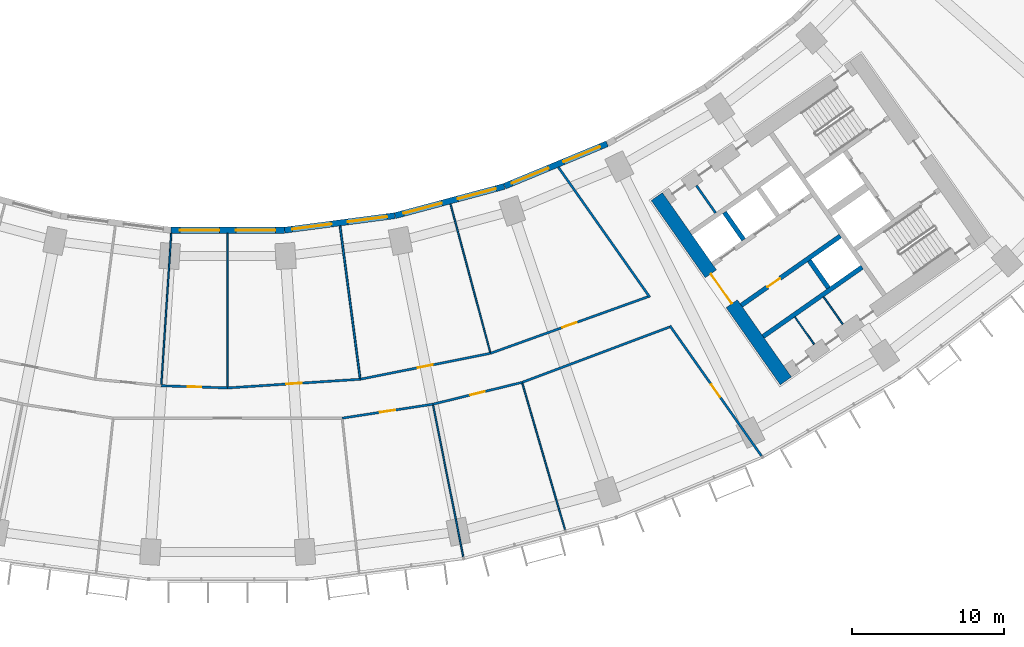
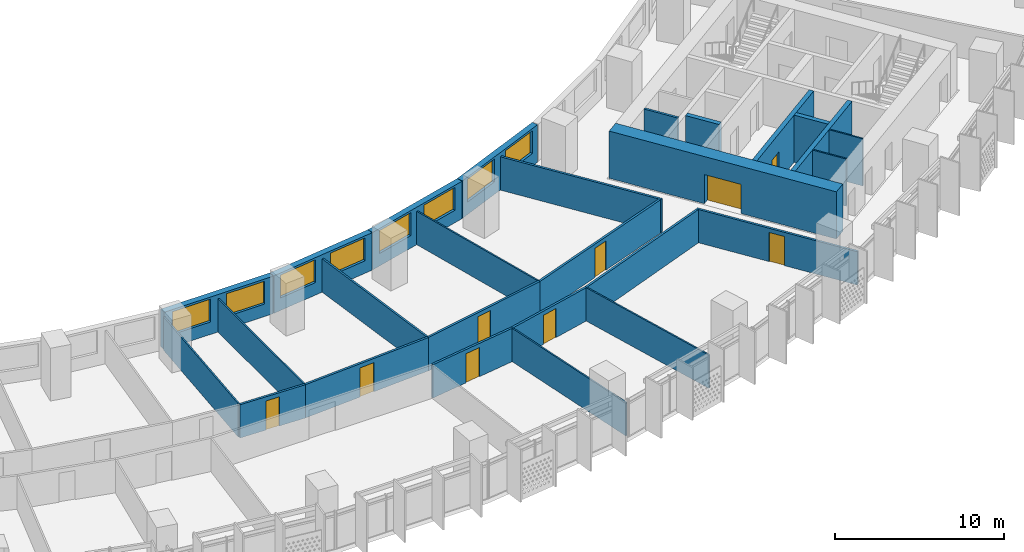
# One storey, part 6 of 31: 27 walls, 9 doors, 8 windows, 17 openings.
"""IFC4 building model written with IfcOpenShell, lengths in metres."""

from ifc_helpers import new_model, si_unit, direction, frame, frame_2d, origin, place, context, subcontext, project, spatial, rectangle, extrude, material, layer, layer_set, type_object, element, fill, save


model = new_model("IFC4")

# Units and contexts
model_context = context("Model", 3, precision=1e-05, world=origin(), true_north=direction((0.0, 1.0)))
body_context = subcontext(model_context, "Body", "Model", "MODEL_VIEW")
ifc_project = project(units=[si_unit("LENGTHUNIT", "METRE"), si_unit("AREAUNIT", "SQUARE_METRE"), si_unit("VOLUMEUNIT", "CUBIC_METRE"), si_unit("PLANEANGLEUNIT", "RADIAN"), si_unit("MASSUNIT", "GRAM", prefix="KILO")], contexts=[model_context])

# Site, building, storey
site_placement = place(None, origin())
site = spatial("IfcSite", under=ifc_project, at=site_placement, CompositionType="ELEMENT")
building_placement = place(site_placement, origin())
building = spatial("IfcBuilding", under=site, at=building_placement, Name="Qamariyya Broadcast Tower", CompositionType="ELEMENT")
storey_placement = place(building_placement, frame((0.0, 0.0, 86.10009765625)))
storey = spatial("IfcBuildingStorey", under=building, at=storey_placement, Name="L18", CompositionType="ELEMENT", Elevation=86.10009765625)

# Wall, opening, door
ifc_material_1 = material(Name="Concrete C70/85", Category="concrete")
ifc_layer_1 = layer(ifc_material_1, 0.89990234375)
ifc_layer_set_1 = layer_set([ifc_layer_1], Name="Core wall 900 mm Concrete C70/85")
wall_type_1 = type_object("IfcWallType", Name="Core wall 900 mm Concrete C70/85", PredefinedType="SHEAR", material=ifc_layer_set_1)
wall_1_placement = place(storey_placement, frame((36.716796875, -66.3369140625, 0.0), z_axis=(0.0, 0.0, 1.0), x_axis=(-0.573577477574, 0.819151315216, 0.0)))
wall_1 = element("IfcWall", 1, at=wall_1_placement, inside=storey, type_object=wall_type_1, Name="k-E-L18-WA", PredefinedType="SHEAR", context=body_context, shape_type="SweptSolid", body=[
    extrude(rectangle(XDim=14.800048828125, YDim=0.89990234375, at=frame_2d((7.39990234375, 0.0))), origin(), (0.0, 0.0, 1.0), 3.39990234375),
])
opening_1_placement = place(wall_1_placement, frame((6.199951171875, 0.0, 0.0)))
opening_1 = element("IfcOpeningElement", 2, at=opening_1_placement, cuts=wall_1, Name="Opening KD3-E1", PredefinedType="OPENING", context=body_context, shape_type="SweptSolid", body=[
    extrude(rectangle(XDim=2.39990234375, YDim=2.10009765625, at=frame_2d((1.199951171875, 1.050048828125))), frame((0.0, 0.4599609375, 0.0), z_axis=(0.0, -1.0, 0.0), x_axis=(1.0, 0.0, 0.0)), (0.0, 0.0, 1.0), 0.919921875),
])
ifc_material_2 = material(Name="Steel fire-resisting door leaf", Category="steel")
door_type_1 = type_object("IfcDoorType", Name="Lift lobby door KD3", OperationType="DOUBLE_DOOR_SINGLE_SWING", PredefinedType="DOOR", material=ifc_material_2)
door_1_placement = place(opening_1_placement, origin())
door_1 = element("IfcDoor", 3, at=door_1_placement, inside=storey, type_object=door_type_1, Name="k-E-L18-WA-D1", OperationType="DOUBLE_DOOR_SINGLE_SWING", OverallHeight=2.10009765625, OverallWidth=2.39990234375, PredefinedType="DOOR", context=body_context, shape_type="SweptSolid", body=[
    extrude(rectangle(XDim=2.39990234375, YDim=2.10009765625, at=frame_2d((1.199951171875, 1.050048828125))), frame((0.0, 0.02490234375, 0.0), z_axis=(0.0, -1.0, 0.0), x_axis=(1.0, 0.0, 0.0)), (0.0, 0.0, 1.0), 0.050048828125),
])
fill(opening_1, door_1)

ifc_material_3 = material(Name="Gypsum board partition")
ifc_layer_2 = layer(ifc_material_3, 0.14990234375)
ifc_layer_set_2 = layer_set([ifc_layer_2], Name="Corridor partition 150 EI 60")
wall_type_2 = type_object("IfcWallType", Name="Corridor partition 150 EI 60", PredefinedType="PARTITIONING", material=ifc_layer_set_2)
wall_2_placement = place(storey_placement, frame((-4.368896484375, -66.656982421875, 0.0), z_axis=(0.0, 0.0, 1.0), x_axis=(0.99946426167, -0.03272903366, 0.0)))
wall_2 = element("IfcWall", 4, at=wall_2_placement, inside=storey, type_object=wall_type_2, Name="Partition L18-020", PredefinedType="PARTITIONING", context=body_context, shape_type="SweptSolid", body=[
    extrude(rectangle(XDim=4.371337890625, YDim=0.14990234375, at=frame_2d((2.185546875, 0.0))), origin(), (0.0, 0.0, 1.0), 2.39990234375),
])
opening_2_placement = place(wall_2_placement, frame((1.735595703125, 0.0, 0.0)))
opening_2 = element("IfcOpeningElement", 5, at=opening_2_placement, cuts=wall_2, Name="Opening L18-D13", PredefinedType="OPENING", context=body_context, shape_type="SweptSolid", body=[
    extrude(rectangle(XDim=0.89990234375, YDim=2.10009765625, at=frame_2d((0.449951171875, 1.050048828125))), frame((0.0, 0.0849609375, 0.0), z_axis=(0.0, -1.0, 0.0), x_axis=(1.0, 0.0, 0.0)), (0.0, 0.0, 1.0), 0.169921875),
])
ifc_material_4 = material(Name="Timber fire door leaf", Category="wood")
door_type_2 = type_object("IfcDoorType", Name="Fire door 900 x 2100 FD60", OperationType="NOTDEFINED", PredefinedType="DOOR", material=ifc_material_4)
door_2_placement = place(opening_2_placement, origin())
door_2 = element("IfcDoor", 6, at=door_2_placement, inside=storey, type_object=door_type_2, Name="Door L18-D13", OperationType="SINGLE_SWING_RIGHT", OverallHeight=2.10009765625, OverallWidth=0.89990234375, PredefinedType="DOOR", context=body_context, shape_type="SweptSolid", body=[
    extrude(rectangle(XDim=0.89990234375, YDim=2.10009765625, at=frame_2d((0.449951171875, 1.050048828125))), frame((0.0, 0.02490234375, 0.0), z_axis=(0.0, -1.0, 0.0), x_axis=(1.0, 0.0, 0.0)), (0.0, 0.0, 1.0), 0.050048828125),
])
fill(opening_2, door_2)

wall_3_placement = place(storey_placement, frame((0.0, -66.800048828125, 0.0), z_axis=(0.0, 0.0, 1.0), x_axis=(0.997858593599, 0.065408158359, 0.0)))
wall_3 = element("IfcWall", 7, at=wall_3_placement, inside=storey, type_object=wall_type_2, Name="Partition L18-022", PredefinedType="PARTITIONING", context=body_context, shape_type="SweptSolid", body=[
    extrude(rectangle(XDim=8.738037109375, YDim=0.14990234375, at=frame_2d((4.369140625, 0.0))), origin(), (0.0, 0.0, 1.0), 2.39990234375),
])
opening_3_placement = place(wall_3_placement, frame((3.868896484375, 0.0, 0.0)))
opening_3 = element("IfcOpeningElement", 8, at=opening_3_placement, cuts=wall_3, Name="Opening L18-D14", PredefinedType="OPENING", context=body_context, shape_type="SweptSolid", body=[
    extrude(rectangle(XDim=1.0, YDim=2.10009765625, at=frame_2d((0.5, 1.050048828125))), frame((0.0, 0.0849609375, 0.0), z_axis=(0.0, -1.0, 0.0), x_axis=(1.0, 0.0, 0.0)), (0.0, 0.0, 1.0), 0.169921875),
])
door_type_3 = type_object("IfcDoorType", Name="Fire door 1000 x 2100 FD60", OperationType="NOTDEFINED", PredefinedType="DOOR", material=ifc_material_4)
door_3_placement = place(opening_3_placement, origin())
door_3 = element("IfcDoor", 9, at=door_3_placement, inside=storey, type_object=door_type_3, Name="Door L18-D14", OperationType="SINGLE_SWING_RIGHT", OverallHeight=2.10009765625, OverallWidth=1.0, PredefinedType="DOOR", context=body_context, shape_type="SweptSolid", body=[
    extrude(rectangle(XDim=1.0, YDim=2.10009765625, at=frame_2d((0.5, 1.050048828125))), frame((0.0, 0.02490234375, 0.0), z_axis=(0.0, -1.0, 0.0), x_axis=(1.0, 0.0, 0.0)), (0.0, 0.0, 1.0), 0.050048828125),
])
fill(opening_3, door_3)

wall_4_placement = place(storey_placement, frame((13.500244140625, -67.870361328125, 0.0), z_axis=(0.0, 0.0, 1.0), x_axis=(-0.98836608834, -0.152093640297, 0.0)))
wall_4 = element("IfcWall", 10, at=wall_4_placement, inside=storey, type_object=wall_type_2, Name="Partition L18-025", PredefinedType="PARTITIONING", context=body_context, shape_type="SweptSolid", body=[
    extrude(rectangle(XDim=6.038818359375, YDim=0.14990234375, at=frame_2d((3.01953125, 0.0))), origin(), (0.0, 0.0, 1.0), 2.39990234375),
])
opening_4_placement = place(wall_4_placement, frame((2.51953125, 0.0, 0.0)))
opening_4 = element("IfcOpeningElement", 11, at=opening_4_placement, cuts=wall_4, Name="Opening L18-D06", PredefinedType="OPENING", context=body_context, shape_type="SweptSolid", body=[
    extrude(rectangle(XDim=1.0, YDim=2.10009765625, at=frame_2d((0.5, 1.050048828125))), frame((0.0, 0.0849609375, 0.0), z_axis=(0.0, -1.0, 0.0), x_axis=(1.0, 0.0, 0.0)), (0.0, 0.0, 1.0), 0.169921875),
])
door_4_placement = place(opening_4_placement, origin())
door_4 = element("IfcDoor", 12, at=door_4_placement, inside=storey, type_object=door_type_3, Name="Door L18-D06", OperationType="SINGLE_SWING_RIGHT", OverallHeight=2.10009765625, OverallWidth=1.0, PredefinedType="DOOR", context=body_context, shape_type="SweptSolid", body=[
    extrude(rectangle(XDim=1.0, YDim=2.10009765625, at=frame_2d((0.5, 1.050048828125))), frame((0.0, 0.02490234375, 0.0), z_axis=(0.0, -1.0, 0.0), x_axis=(1.0, 0.0, 0.0)), (0.0, 0.0, 1.0), 0.050048828125),
])
fill(opening_4, door_4)

wall_5_placement = place(storey_placement, frame((8.71923828125, -66.228515625, 0.0), z_axis=(0.0, 0.0, 1.0), x_axis=(0.980786466832, 0.195084357342, 0.0)))
wall_5 = element("IfcWall", 13, at=wall_5_placement, inside=storey, type_object=wall_type_2, Name="Partition L18-027", PredefinedType="PARTITIONING", context=body_context, shape_type="SweptSolid", body=[
    extrude(rectangle(XDim=8.73779296875, YDim=0.14990234375, at=frame_2d((4.368896484375, 0.0))), origin(), (0.0, 0.0, 1.0), 2.39990234375),
])
opening_5_placement = place(wall_5_placement, frame((3.868896484375, 0.0, 0.0)))
opening_5 = element("IfcOpeningElement", 14, at=opening_5_placement, cuts=wall_5, Name="Opening L18-D15", PredefinedType="OPENING", context=body_context, shape_type="SweptSolid", body=[
    extrude(rectangle(XDim=1.0, YDim=2.10009765625, at=frame_2d((0.5, 1.050048828125))), frame((0.0, 0.0849609375, 0.0), z_axis=(0.0, -1.0, 0.0), x_axis=(1.0, 0.0, 0.0)), (0.0, 0.0, 1.0), 0.169921875),
])
door_5_placement = place(opening_5_placement, origin())
door_5 = element("IfcDoor", 15, at=door_5_placement, inside=storey, type_object=door_type_3, Name="Door L18-D15", OperationType="SINGLE_SWING_RIGHT", OverallHeight=2.10009765625, OverallWidth=1.0, PredefinedType="DOOR", context=body_context, shape_type="SweptSolid", body=[
    extrude(rectangle(XDim=1.0, YDim=2.10009765625, at=frame_2d((0.5, 1.050048828125))), frame((0.0, 0.02490234375, 0.0), z_axis=(0.0, -1.0, 0.0), x_axis=(1.0, 0.0, 0.0)), (0.0, 0.0, 1.0), 0.050048828125),
])
fill(opening_5, door_5)

wall_6_placement = place(storey_placement, frame((19.365966796875, -66.434814453125, 0.0), z_axis=(0.0, 0.0, 1.0), x_axis=(-0.971333900191, -0.237719276331, 0.0)))
wall_6 = element("IfcWall", 16, at=wall_6_placement, inside=storey, type_object=wall_type_2, Name="Partition L18-028", PredefinedType="PARTITIONING", context=body_context, shape_type="SweptSolid", body=[
    extrude(rectangle(XDim=6.038818359375, YDim=0.14990234375, at=frame_2d((3.01953125, 0.0))), origin(), (0.0, 0.0, 1.0), 2.39990234375),
])
opening_6_placement = place(wall_6_placement, frame((2.51953125, 0.0, 0.0)))
opening_6 = element("IfcOpeningElement", 17, at=opening_6_placement, cuts=wall_6, Name="Opening L18-D07", PredefinedType="OPENING", context=body_context, shape_type="SweptSolid", body=[
    extrude(rectangle(XDim=1.0, YDim=2.10009765625, at=frame_2d((0.5, 1.050048828125))), frame((0.0, 0.0849609375, 0.0), z_axis=(0.0, -1.0, 0.0), x_axis=(1.0, 0.0, 0.0)), (0.0, 0.0, 1.0), 0.169921875),
])
door_6_placement = place(opening_6_placement, origin())
door_6 = element("IfcDoor", 18, at=door_6_placement, inside=storey, type_object=door_type_3, Name="Door L18-D07", OperationType="SINGLE_SWING_RIGHT", OverallHeight=2.10009765625, OverallWidth=1.0, PredefinedType="DOOR", context=body_context, shape_type="SweptSolid", body=[
    extrude(rectangle(XDim=1.0, YDim=2.10009765625, at=frame_2d((0.5, 1.050048828125))), frame((0.0, 0.02490234375, 0.0), z_axis=(0.0, -1.0, 0.0), x_axis=(1.0, 0.0, 0.0)), (0.0, 0.0, 1.0), 0.050048828125),
])
fill(opening_6, door_6)

wall_7_placement = place(storey_placement, frame((17.2890625, -64.52392578125, 0.0), z_axis=(0.0, 0.0, 1.0), x_axis=(0.941106453562, 0.338110400705, 0.0)))
wall_7 = element("IfcWall", 19, at=wall_7_placement, inside=storey, type_object=wall_type_2, Name="Partition L18-031", PredefinedType="PARTITIONING", context=body_context, shape_type="SweptSolid", body=[
    extrude(rectangle(XDim=11.015869140625, YDim=0.14990234375, at=frame_2d((5.5078125, 0.0))), origin(), (0.0, 0.0, 1.0), 2.39990234375),
])
opening_7_placement = place(wall_7_placement, frame((5.008056640625, 0.0, 0.0)))
opening_7 = element("IfcOpeningElement", 20, at=opening_7_placement, cuts=wall_7, Name="Opening L18-D16", PredefinedType="OPENING", context=body_context, shape_type="SweptSolid", body=[
    extrude(rectangle(XDim=1.0, YDim=2.10009765625, at=frame_2d((0.5, 1.050048828125))), frame((0.0, 0.0849609375, 0.0), z_axis=(0.0, -1.0, 0.0), x_axis=(1.0, 0.0, 0.0)), (0.0, 0.0, 1.0), 0.169921875),
])
door_7_placement = place(opening_7_placement, origin())
door_7 = element("IfcDoor", 21, at=door_7_placement, inside=storey, type_object=door_type_3, Name="Door L18-D16", OperationType="SINGLE_SWING_RIGHT", OverallHeight=2.10009765625, OverallWidth=1.0, PredefinedType="DOOR", context=body_context, shape_type="SweptSolid", body=[
    extrude(rectangle(XDim=1.0, YDim=2.10009765625, at=frame_2d((0.5, 1.050048828125))), frame((0.0, 0.02490234375, 0.0), z_axis=(0.0, -1.0, 0.0), x_axis=(1.0, 0.0, 0.0)), (0.0, 0.0, 1.0), 0.050048828125),
])
fill(opening_7, door_7)

# Walls
wall_8_placement = place(storey_placement, frame((19.365966796875, -66.434814453125, 0.0), z_axis=(0.0, 0.0, 1.0), x_axis=(0.936222555766, 0.351407635197, 0.0)))
element("IfcWall", 22, at=wall_8_placement, inside=storey, type_object=wall_type_2, Name="Partition L18-032", PredefinedType="PARTITIONING", context=body_context, shape_type="SweptSolid", body=[
    extrude(rectangle(XDim=10.355224609375, YDim=0.14990234375, at=frame_2d((5.177734375, 0.0))), origin(), (0.0, 0.0, 1.0), 2.39990234375),
])
wall_9_placement = place(storey_placement, frame((21.748291015625, -52.2763671875, 0.0), z_axis=(0.0, 0.0, 1.0), x_axis=(0.575419434668, -0.817858468322, 0.0)))
element("IfcWall", 23, at=wall_9_placement, inside=storey, type_object=wall_type_2, Name="Partition L18-033", PredefinedType="PARTITIONING", context=body_context, shape_type="SweptSolid", body=[
    extrude(rectangle(XDim=10.46484375, YDim=0.14990234375, at=frame_2d((5.232421875, 0.0))), origin(), (0.0, 0.0, 1.0), 2.39990234375),
])

# Wall, opening, door
wall_10_placement = place(storey_placement, frame((35.11328125, -71.2724609375, 0.0), z_axis=(0.0, 0.0, 1.0), x_axis=(-0.575411972256, 0.817863718589, 0.0)))
wall_10 = element("IfcWall", 24, at=wall_10_placement, inside=storey, type_object=wall_type_2, Name="Partition L18-035", PredefinedType="PARTITIONING", context=body_context, shape_type="SweptSolid", body=[
    extrude(rectangle(XDim=10.471435546875, YDim=0.14990234375, at=frame_2d((5.23583984375, 0.0))), origin(), (0.0, 0.0, 1.0), 2.39990234375),
])
opening_8_placement = place(wall_10_placement, frame((4.735595703125, 0.0, 0.0)))
opening_8 = element("IfcOpeningElement", 25, at=opening_8_placement, cuts=wall_10, Name="Opening L18-D08", PredefinedType="OPENING", context=body_context, shape_type="SweptSolid", body=[
    extrude(rectangle(XDim=1.0, YDim=2.10009765625, at=frame_2d((0.5, 1.050048828125))), frame((0.0, 0.0849609375, 0.0), z_axis=(0.0, -1.0, 0.0), x_axis=(1.0, 0.0, 0.0)), (0.0, 0.0, 1.0), 0.169921875),
])
door_8_placement = place(opening_8_placement, origin())
door_8 = element("IfcDoor", 26, at=door_8_placement, inside=storey, type_object=door_type_3, Name="Door L18-D08", OperationType="SINGLE_SWING_RIGHT", OverallHeight=2.10009765625, OverallWidth=1.0, PredefinedType="DOOR", context=body_context, shape_type="SweptSolid", body=[
    extrude(rectangle(XDim=1.0, YDim=2.10009765625, at=frame_2d((0.5, 1.050048828125))), frame((0.0, 0.02490234375, 0.0), z_axis=(0.0, -1.0, 0.0), x_axis=(1.0, 0.0, 0.0)), (0.0, 0.0, 1.0), 0.050048828125),
])
fill(opening_8, door_8)

# Walls
ifc_material_5 = material(Name="Gypsum board partition on steel studs", Category="steel")
ifc_layer_3 = layer(ifc_material_5, 0.14990234375)
ifc_layer_set_3 = layer_set([ifc_layer_3], Name="Gypsum board partition 150 mm")
wall_type_3 = type_object("IfcWallType", Name="Gypsum board partition 150 mm", PredefinedType="PARTITIONING", material=ifc_layer_set_3)
wall_11_placement = place(storey_placement, frame((32.0947265625, -55.290283203125, 0.0), z_axis=(0.0, 0.0, 1.0), x_axis=(-0.573559170999, 0.819164133348, 0.0)))
element("IfcWall", 27, at=wall_11_placement, inside=storey, type_object=wall_type_3, Name="k-E-L18-NP210", PredefinedType="PARTITIONING", context=body_context, shape_type="SweptSolid", body=[
    extrude(rectangle(XDim=2.19970703125, YDim=0.14990234375, at=frame_2d((1.099853515625, 0.0))), origin(), (0.0, 0.0, 1.0), 3.39990234375),
])
ifc_material_6 = material(Name="Concrete C60/75", Category="concrete")
ifc_layer_4 = layer(ifc_material_6, 0.300048828125)
ifc_layer_set_4 = layer_set([ifc_layer_4], Name="Lift shaft wall 300 mm Concrete C60/75")
wall_type_4 = type_object("IfcWallType", Name="Lift shaft wall 300 mm Concrete C60/75", PredefinedType="SOLIDWALL", material=ifc_layer_set_4)
wall_12_placement = place(storey_placement, frame((33.9384765625, -57.051513671875, 0.0), z_axis=(0.0, 0.0, 1.0), x_axis=(-0.573581496053, 0.819148501424, 0.0)))
element("IfcWall", 28, at=wall_12_placement, inside=storey, type_object=wall_type_4, Name="k-E-L18-ND0", PredefinedType="SOLIDWALL", context=body_context, shape_type="SweptSolid", body=[
    extrude(rectangle(XDim=2.2001953125, YDim=0.300048828125, at=frame_2d((1.10009765625, 0.0))), origin(), (0.0, 0.0, 1.0), 3.39990234375),
])

# Wall, opening, door
wall_13_placement = place(storey_placement, frame((33.787353515625, -61.368896484375, 0.0), z_axis=(0.0, 0.0, 1.0), x_axis=(0.819152564888, 0.573575692858, 0.0)))
wall_13 = element("IfcWall", 29, at=wall_13_placement, inside=storey, type_object=wall_type_4, Name="k-E-L18-SF0", PredefinedType="SOLIDWALL", context=body_context, shape_type="SweptSolid", body=[
    extrude(rectangle(XDim=7.9501953125, YDim=0.300048828125, at=frame_2d((3.97509765625, 0.0))), origin(), (0.0, 0.0, 1.0), 3.39990234375),
])
opening_9_placement = place(wall_13_placement, frame((2.10009765625, 0.0, 0.0)))
opening_9 = element("IfcOpeningElement", 30, at=opening_9_placement, cuts=wall_13, Name="Opening KD6-E1", PredefinedType="OPENING", context=body_context, shape_type="SweptSolid", body=[
    extrude(rectangle(XDim=1.0, YDim=2.10009765625, at=frame_2d((0.5, 1.050048828125))), frame((0.0, 0.159912109375, 0.0), z_axis=(0.0, -1.0, 0.0), x_axis=(1.0, 0.0, 0.0)), (0.0, 0.0, 1.0), 0.320068359375),
])
door_type_4 = type_object("IfcDoorType", Name="Core room door KD6", OperationType="SINGLE_SWING_LEFT", PredefinedType="DOOR", material=ifc_material_2)
door_9_placement = place(opening_9_placement, origin())
door_9 = element("IfcDoor", 31, at=door_9_placement, inside=storey, type_object=door_type_4, Name="k-E-L18-SF0-D5", OperationType="SINGLE_SWING_LEFT", OverallHeight=2.10009765625, OverallWidth=1.0, PredefinedType="DOOR", context=body_context, shape_type="SweptSolid", body=[
    extrude(rectangle(XDim=1.0, YDim=2.10009765625, at=frame_2d((0.5, 1.050048828125))), frame((0.0, 0.02490234375, 0.0), z_axis=(0.0, -1.0, 0.0), x_axis=(1.0, 0.0, 0.0)), (0.0, 0.0, 1.0), 0.050048828125),
])
fill(opening_9, door_9)

# Walls
wall_14_placement = place(storey_placement, frame((35.22119140625, -63.41650390625, 0.0), z_axis=(0.0, 0.0, 1.0), x_axis=(0.819166993208, 0.573555086491, 0.0)))
element("IfcWall", 32, at=wall_14_placement, inside=storey, type_object=wall_type_4, Name="k-E-L18-SB0", PredefinedType="SOLIDWALL", context=body_context, shape_type="SweptSolid", body=[
    extrude(rectangle(XDim=7.9501953125, YDim=0.300048828125, at=frame_2d((3.97509765625, 0.0))), origin(), (0.0, 0.0, 1.0), 3.39990234375),
])
wall_15_placement = place(storey_placement, frame((38.255859375, -58.423095703125, 0.0), z_axis=(0.0, 0.0, 1.0), x_axis=(0.573633636671, -0.819111989218, 0.0)))
element("IfcWall", 33, at=wall_15_placement, inside=storey, type_object=wall_type_4, Name="k-E-L18-SD1", PredefinedType="SOLIDWALL", context=body_context, shape_type="SweptSolid", body=[
    extrude(rectangle(XDim=2.199951171875, YDim=0.300048828125, at=frame_2d((1.10009765625, 0.0))), origin(), (0.0, 0.0, 1.0), 3.39990234375),
])
ifc_material_7 = material(Name="Operable acoustic wall panels")
ifc_layer_5 = layer(ifc_material_7, 0.125)
ifc_layer_set_5 = layer_set([ifc_layer_5], Name="Operable acoustic partition 125")
wall_type_5 = type_object("IfcWallType", Name="Operable acoustic partition 125", PredefinedType="MOVABLE", material=ifc_layer_set_5)
wall_16_placement = place(storey_placement, frame((7.3916015625, -56.144775390625, 0.0), z_axis=(0.0, 0.0, 1.0), x_axis=(0.130538336764, -0.991443262439, 0.0)))
element("IfcWall", 34, at=wall_16_placement, inside=storey, type_object=wall_type_5, Name="Operable partition L18-024", PredefinedType="MOVABLE", context=body_context, shape_type="SweptSolid", body=[
    extrude(rectangle(XDim=10.095703125, YDim=0.125, at=frame_2d((5.0478515625, 0.0))), origin(), (0.0, 0.0, 1.0), 2.39990234375),
])
ifc_layer_6 = layer(ifc_material_3, 0.10009765625)
ifc_layer_set_6 = layer_set([ifc_layer_6], Name="Partition 100")
wall_type_6 = type_object("IfcWallType", Name="Partition 100", PredefinedType="PARTITIONING", material=ifc_layer_set_6)
wall_17_placement = place(storey_placement, frame((-3.711669921875, -56.62841796875, 0.0), z_axis=(0.0, 0.0, 1.0), x_axis=(-0.06539808502, -0.997859253841, 0.0)))
element("IfcWall", 35, at=wall_17_placement, inside=storey, type_object=wall_type_6, Name="Partition L18-021", PredefinedType="PARTITIONING", context=body_context, shape_type="SweptSolid", body=[
    extrude(rectangle(XDim=9.974853515625, YDim=0.10009765625, at=frame_2d((4.9873046875, 0.0))), origin(), (0.0, 0.0, 1.0), 2.39990234375),
])
for number, where, z_axis, x_axis, name in (
    (36, (0.0, -56.62939453125, 0.0), (0.0, 0.0, 1.0), (0.0, -1.0, 0.0), "Partition L18-023"),
    (37, (14.65673828125, -54.69970703125, 0.0), (0.0, 0.0, 1.0), (0.258825935876, -0.965923979885, 0.0), "Partition L18-029"),
):
    element("IfcWall", number, at=place(storey_placement, frame(where, z_axis=z_axis, x_axis=x_axis)), inside=storey, type_object=wall_type_6, Name=name, PredefinedType="PARTITIONING", context=body_context, shape_type="SweptSolid", body=[
        extrude(rectangle(XDim=10.095703125, YDim=0.10009765625, at=frame_2d((5.0478515625, 0.0))), origin(), (0.0, 0.0, 1.0), 2.39990234375),
    ])
wall_18_placement = place(storey_placement, frame((15.5, -77.92333984375, 0.0), z_axis=(0.0, 0.0, 1.0), x_axis=(-0.195096278525, 0.980784095561, 0.0)))
element("IfcWall", 38, at=wall_18_placement, inside=storey, type_object=wall_type_6, Name="Partition L18-030", PredefinedType="PARTITIONING", context=body_context, shape_type="SweptSolid", body=[
    extrude(rectangle(XDim=10.175048828125, YDim=0.10009765625, at=frame_2d((5.08740234375, 0.0))), origin(), (0.0, 0.0, 1.0), 2.39990234375),
])
wall_19_placement = place(storey_placement, frame((22.192138671875, -76.1298828125, 0.0), z_axis=(0.0, 0.0, 1.0), x_axis=(-0.279857832074, 0.960041454223, 0.0)))
element("IfcWall", 39, at=wall_19_placement, inside=storey, type_object=wall_type_6, Name="Partition L18-034", PredefinedType="PARTITIONING", context=body_context, shape_type="SweptSolid", body=[
    extrude(rectangle(XDim=10.023681640625, YDim=0.10009765625, at=frame_2d((5.01171875, 0.0))), origin(), (0.0, 0.0, 1.0), 2.39990234375),
])
ifc_material_8 = material(Name="Fire-rated gypsum shaft liner on steel studs", Category="steel")
ifc_layer_7 = layer(ifc_material_8, 0.10009765625)
ifc_layer_set_7 = layer_set([ifc_layer_7], Name="Riser wall 100 mm")
wall_type_7 = type_object("IfcWallType", Name="Riser wall 100 mm", PredefinedType="PLUMBINGWALL", material=ifc_layer_set_7)
wall_20_placement = place(storey_placement, frame((37.314208984375, -62.13427734375, 0.0), z_axis=(0.0, 0.0, 1.0), x_axis=(0.573633636671, -0.819111989218, 0.0)))
element("IfcWall", 40, at=wall_20_placement, inside=storey, type_object=wall_type_7, Name="k-E-L18-SP245", PredefinedType="PLUMBINGWALL", context=body_context, shape_type="SweptSolid", body=[
    extrude(rectangle(XDim=2.199951171875, YDim=0.10009765625, at=frame_2d((1.10009765625, 0.0))), origin(), (0.0, 0.0, 1.0), 3.39990234375),
])
wall_21_placement = place(storey_placement, frame((39.1982421875, -60.81494140625, 0.0), z_axis=(0.0, 0.0, 1.0), x_axis=(0.573581496053, -0.819148501424, 0.0)))
element("IfcWall", 41, at=wall_21_placement, inside=storey, type_object=wall_type_7, Name="k-E-L18-SP475", PredefinedType="PLUMBINGWALL", context=body_context, shape_type="SweptSolid", body=[
    extrude(rectangle(XDim=2.2001953125, YDim=0.10009765625, at=frame_2d((1.10009765625, 0.0))), origin(), (0.0, 0.0, 1.0), 3.39990234375),
])

# Wall, openings, windows
ifc_material_9 = material(Name="Terracotta", Category="masonry")
ifc_layer_8 = layer(ifc_material_9, 0.39990234375)
ifc_layer_set_8 = layer_set([ifc_layer_8], Name="Terracotta clad wall 400")
wall_type_8 = type_object("IfcWallType", Name="Terracotta clad wall 400", PredefinedType="SOLIDWALL", material=ifc_layer_set_8)
wall_22_placement = place(storey_placement, frame((18.20166015625, -53.542724609375, 0.0), z_axis=(0.0, 0.0, 1.0), x_axis=(-0.965924637935, -0.25882348006, 0.0)))
wall_22 = element("IfcWall", 42, at=wall_22_placement, inside=storey, type_object=wall_type_8, Name="e-wl-L18-in100", PredefinedType="SOLIDWALL", context=body_context, shape_type="SweptSolid", body=[
    extrude(rectangle(XDim=7.447021484375, YDim=0.39990234375, at=frame_2d((3.7236328125, 0.0))), origin(), (0.0, 0.0, 1.0), 2.699951171875),
])
opening_10_placement = place(wall_22_placement, frame((4.266357421875, 0.0, 0.89990234375)))
opening_10 = element("IfcOpeningElement", 43, at=opening_10_placement, cuts=wall_22, Name="Opening W1", PredefinedType="OPENING", context=body_context, shape_type="SweptSolid", body=[
    extrude(rectangle(XDim=2.60009765625, YDim=1.64990234375, at=frame_2d((1.300048828125, 0.824951171875))), frame((0.0, 0.2099609375, 0.0), z_axis=(0.0, -1.0, 0.0), x_axis=(1.0, 0.0, 0.0)), (0.0, 0.0, 1.0), 0.419921875),
])
opening_11_placement = place(wall_22_placement, frame((0.580810546875, 0.0, 0.89990234375)))
opening_11 = element("IfcOpeningElement", 44, at=opening_11_placement, cuts=wall_22, Name="Opening W1", PredefinedType="OPENING", context=body_context, shape_type="SweptSolid", body=[
    extrude(rectangle(XDim=2.60009765625, YDim=1.64990234375, at=frame_2d((1.300048828125, 0.824951171875))), frame((0.0, 0.2099609375, 0.0), z_axis=(0.0, -1.0, 0.0), x_axis=(1.0, 0.0, 0.0)), (0.0, 0.0, 1.0), 0.419921875),
])
ifc_material_10 = material(Name="Clear low-e double glazed unit in aluminium frame", Category="aluminium")
window_type = type_object("IfcWindowType", Name="Ribbon window 2600 x 1650", PartitioningType="SINGLE_PANEL", PredefinedType="WINDOW", material=ifc_material_10)
window_1_placement = place(opening_10_placement, origin())
window_1 = element("IfcWindow", 45, at=window_1_placement, inside=storey, type_object=window_type, Name="e-w-L18-in10-0", OverallHeight=1.64990234375, OverallWidth=2.60009765625, PartitioningType="SINGLE_PANEL", PredefinedType="WINDOW", context=body_context, shape_type="SweptSolid", body=[
    extrude(rectangle(XDim=2.60009765625, YDim=1.64990234375, at=frame_2d((1.300048828125, 0.824951171875))), frame((0.0, 0.030029296875, 0.0), z_axis=(0.0, -1.0, 0.0), x_axis=(1.0, 0.0, 0.0)), (0.0, 0.0, 1.0), 0.06005859375),
])
fill(opening_10, window_1)
window_2_placement = place(opening_11_placement, origin())
window_2 = element("IfcWindow", 46, at=window_2_placement, inside=storey, type_object=window_type, Name="e-w-L18-in10-1", OverallHeight=1.64990234375, OverallWidth=2.60009765625, PartitioningType="SINGLE_PANEL", PredefinedType="WINDOW", context=body_context, shape_type="SweptSolid", body=[
    extrude(rectangle(XDim=2.60009765625, YDim=1.64990234375, at=frame_2d((1.300048828125, 0.824951171875))), frame((0.0, 0.030029296875, 0.0), z_axis=(0.0, -1.0, 0.0), x_axis=(1.0, 0.0, 0.0)), (0.0, 0.0, 1.0), 0.06005859375),
])
fill(opening_11, window_2)

wall_23_placement = place(storey_placement, frame((24.96484375, -50.738037109375, 0.0), z_axis=(0.0, 0.0, 1.0), x_axis=(-0.923891626322, -0.382654234018, 0.0)))
wall_23 = element("IfcWall", 47, at=wall_23_placement, inside=storey, type_object=wall_type_8, Name="e-wl-L18-in110", PredefinedType="SOLIDWALL", context=body_context, shape_type="SweptSolid", body=[
    extrude(rectangle(XDim=7.295654296875, YDim=0.39990234375, at=frame_2d((3.64794921875, 0.0))), origin(), (0.0, 0.0, 1.0), 2.699951171875),
])
opening_12_placement = place(wall_23_placement, frame((4.190673828125, 0.0, 0.89990234375)))
opening_12 = element("IfcOpeningElement", 48, at=opening_12_placement, cuts=wall_23, Name="Opening W1", PredefinedType="OPENING", context=body_context, shape_type="SweptSolid", body=[
    extrude(rectangle(XDim=2.60009765625, YDim=1.64990234375, at=frame_2d((1.300048828125, 0.824951171875))), frame((0.0, 0.2099609375, 0.0), z_axis=(0.0, -1.0, 0.0), x_axis=(1.0, 0.0, 0.0)), (0.0, 0.0, 1.0), 0.419921875),
])
opening_13_placement = place(wall_23_placement, frame((0.505126953125, 0.0, 0.89990234375)))
opening_13 = element("IfcOpeningElement", 49, at=opening_13_placement, cuts=wall_23, Name="Opening W1", PredefinedType="OPENING", context=body_context, shape_type="SweptSolid", body=[
    extrude(rectangle(XDim=2.60009765625, YDim=1.64990234375, at=frame_2d((1.300048828125, 0.824951171875))), frame((0.0, 0.2099609375, 0.0), z_axis=(0.0, -1.0, 0.0), x_axis=(1.0, 0.0, 0.0)), (0.0, 0.0, 1.0), 0.419921875),
])
window_3_placement = place(opening_12_placement, origin())
window_3 = element("IfcWindow", 50, at=window_3_placement, inside=storey, type_object=window_type, Name="e-w-L18-in11-0", OverallHeight=1.64990234375, OverallWidth=2.60009765625, PartitioningType="SINGLE_PANEL", PredefinedType="WINDOW", context=body_context, shape_type="SweptSolid", body=[
    extrude(rectangle(XDim=2.60009765625, YDim=1.64990234375, at=frame_2d((1.300048828125, 0.824951171875))), frame((0.0, 0.030029296875, 0.0), z_axis=(0.0, -1.0, 0.0), x_axis=(1.0, 0.0, 0.0)), (0.0, 0.0, 1.0), 0.06005859375),
])
fill(opening_12, window_3)
window_4_placement = place(opening_13_placement, origin())
window_4 = element("IfcWindow", 51, at=window_4_placement, inside=storey, type_object=window_type, Name="e-w-L18-in11-1", OverallHeight=1.64990234375, OverallWidth=2.60009765625, PartitioningType="SINGLE_PANEL", PredefinedType="WINDOW", context=body_context, shape_type="SweptSolid", body=[
    extrude(rectangle(XDim=2.60009765625, YDim=1.64990234375, at=frame_2d((1.300048828125, 0.824951171875))), frame((0.0, 0.030029296875, 0.0), z_axis=(0.0, -1.0, 0.0), x_axis=(1.0, 0.0, 0.0)), (0.0, 0.0, 1.0), 0.06005859375),
])
fill(opening_13, window_4)

wall_24_placement = place(storey_placement, frame((3.7236328125, -56.429443359375, 0.0), z_axis=(0.0, 0.0, 1.0), x_axis=(-1.0, 0.0, 0.0)))
wall_24 = element("IfcWall", 52, at=wall_24_placement, inside=storey, type_object=wall_type_8, Name="e-wl-L18-in80", PredefinedType="SOLIDWALL", context=body_context, shape_type="SweptSolid", body=[
    extrude(rectangle(XDim=7.447265625, YDim=0.39990234375, at=frame_2d((3.7236328125, 0.0))), origin(), (0.0, 0.0, 1.0), 2.699951171875),
])
opening_14_placement = place(wall_24_placement, frame((4.266357421875, 0.0, 0.89990234375)))
opening_14 = element("IfcOpeningElement", 53, at=opening_14_placement, cuts=wall_24, Name="Opening W1", PredefinedType="OPENING", context=body_context, shape_type="SweptSolid", body=[
    extrude(rectangle(XDim=2.60009765625, YDim=1.64990234375, at=frame_2d((1.300048828125, 0.824951171875))), frame((0.0, 0.2099609375, 0.0), z_axis=(0.0, -1.0, 0.0), x_axis=(1.0, 0.0, 0.0)), (0.0, 0.0, 1.0), 0.419921875),
])
opening_15_placement = place(wall_24_placement, frame((0.580810546875, 0.0, 0.89990234375)))
opening_15 = element("IfcOpeningElement", 54, at=opening_15_placement, cuts=wall_24, Name="Opening W1", PredefinedType="OPENING", context=body_context, shape_type="SweptSolid", body=[
    extrude(rectangle(XDim=2.60009765625, YDim=1.64990234375, at=frame_2d((1.300048828125, 0.824951171875))), frame((0.0, 0.2099609375, 0.0), z_axis=(0.0, -1.0, 0.0), x_axis=(1.0, 0.0, 0.0)), (0.0, 0.0, 1.0), 0.419921875),
])
window_5_placement = place(opening_14_placement, origin())
window_5 = element("IfcWindow", 55, at=window_5_placement, inside=storey, type_object=window_type, Name="e-w-L18-in08-0", OverallHeight=1.64990234375, OverallWidth=2.60009765625, PartitioningType="SINGLE_PANEL", PredefinedType="WINDOW", context=body_context, shape_type="SweptSolid", body=[
    extrude(rectangle(XDim=2.60009765625, YDim=1.64990234375, at=frame_2d((1.300048828125, 0.824951171875))), frame((0.0, 0.030029296875, 0.0), z_axis=(0.0, -1.0, 0.0), x_axis=(1.0, 0.0, 0.0)), (0.0, 0.0, 1.0), 0.06005859375),
])
fill(opening_14, window_5)
window_6_placement = place(opening_15_placement, origin())
window_6 = element("IfcWindow", 56, at=window_6_placement, inside=storey, type_object=window_type, Name="e-w-L18-in08-1", OverallHeight=1.64990234375, OverallWidth=2.60009765625, PartitioningType="SINGLE_PANEL", PredefinedType="WINDOW", context=body_context, shape_type="SweptSolid", body=[
    extrude(rectangle(XDim=2.60009765625, YDim=1.64990234375, at=frame_2d((1.300048828125, 0.824951171875))), frame((0.0, 0.030029296875, 0.0), z_axis=(0.0, -1.0, 0.0), x_axis=(1.0, 0.0, 0.0)), (0.0, 0.0, 1.0), 0.06005859375),
])
fill(opening_15, window_6)

wall_25_placement = place(storey_placement, frame((10.982177734375, -55.470458984375, 0.0), z_axis=(0.0, 0.0, 1.0), x_axis=(-0.99144746031, -0.130506449818, 0.0)))
wall_25 = element("IfcWall", 57, at=wall_25_placement, inside=storey, type_object=wall_type_8, Name="e-wl-L18-in90", PredefinedType="SOLIDWALL", context=body_context, shape_type="SweptSolid", body=[
    extrude(rectangle(XDim=7.2958984375, YDim=0.39990234375, at=frame_2d((3.64794921875, 0.0))), origin(), (0.0, 0.0, 1.0), 2.699951171875),
])
opening_16_placement = place(wall_25_placement, frame((4.190673828125, 0.0, 0.89990234375)))
opening_16 = element("IfcOpeningElement", 58, at=opening_16_placement, cuts=wall_25, Name="Opening W1", PredefinedType="OPENING", context=body_context, shape_type="SweptSolid", body=[
    extrude(rectangle(XDim=2.60009765625, YDim=1.64990234375, at=frame_2d((1.300048828125, 0.824951171875))), frame((0.0, 0.2099609375, 0.0), z_axis=(0.0, -1.0, 0.0), x_axis=(1.0, 0.0, 0.0)), (0.0, 0.0, 1.0), 0.419921875),
])
opening_17_placement = place(wall_25_placement, frame((0.505126953125, 0.0, 0.89990234375)))
opening_17 = element("IfcOpeningElement", 59, at=opening_17_placement, cuts=wall_25, Name="Opening W1", PredefinedType="OPENING", context=body_context, shape_type="SweptSolid", body=[
    extrude(rectangle(XDim=2.60009765625, YDim=1.64990234375, at=frame_2d((1.300048828125, 0.824951171875))), frame((0.0, 0.2099609375, 0.0), z_axis=(0.0, -1.0, 0.0), x_axis=(1.0, 0.0, 0.0)), (0.0, 0.0, 1.0), 0.419921875),
])
window_7_placement = place(opening_16_placement, origin())
window_7 = element("IfcWindow", 60, at=window_7_placement, inside=storey, type_object=window_type, Name="e-w-L18-in09-0", OverallHeight=1.64990234375, OverallWidth=2.60009765625, PartitioningType="SINGLE_PANEL", PredefinedType="WINDOW", context=body_context, shape_type="SweptSolid", body=[
    extrude(rectangle(XDim=2.60009765625, YDim=1.64990234375, at=frame_2d((1.300048828125, 0.824951171875))), frame((0.0, 0.030029296875, 0.0), z_axis=(0.0, -1.0, 0.0), x_axis=(1.0, 0.0, 0.0)), (0.0, 0.0, 1.0), 0.06005859375),
])
fill(opening_16, window_7)
window_8_placement = place(opening_17_placement, origin())
window_8 = element("IfcWindow", 61, at=window_8_placement, inside=storey, type_object=window_type, Name="e-w-L18-in09-1", OverallHeight=1.64990234375, OverallWidth=2.60009765625, PartitioningType="SINGLE_PANEL", PredefinedType="WINDOW", context=body_context, shape_type="SweptSolid", body=[
    extrude(rectangle(XDim=2.60009765625, YDim=1.64990234375, at=frame_2d((1.300048828125, 0.824951171875))), frame((0.0, 0.030029296875, 0.0), z_axis=(0.0, -1.0, 0.0), x_axis=(1.0, 0.0, 0.0)), (0.0, 0.0, 1.0), 0.06005859375),
])
fill(opening_17, window_8)

save(model, "model.ifc")
